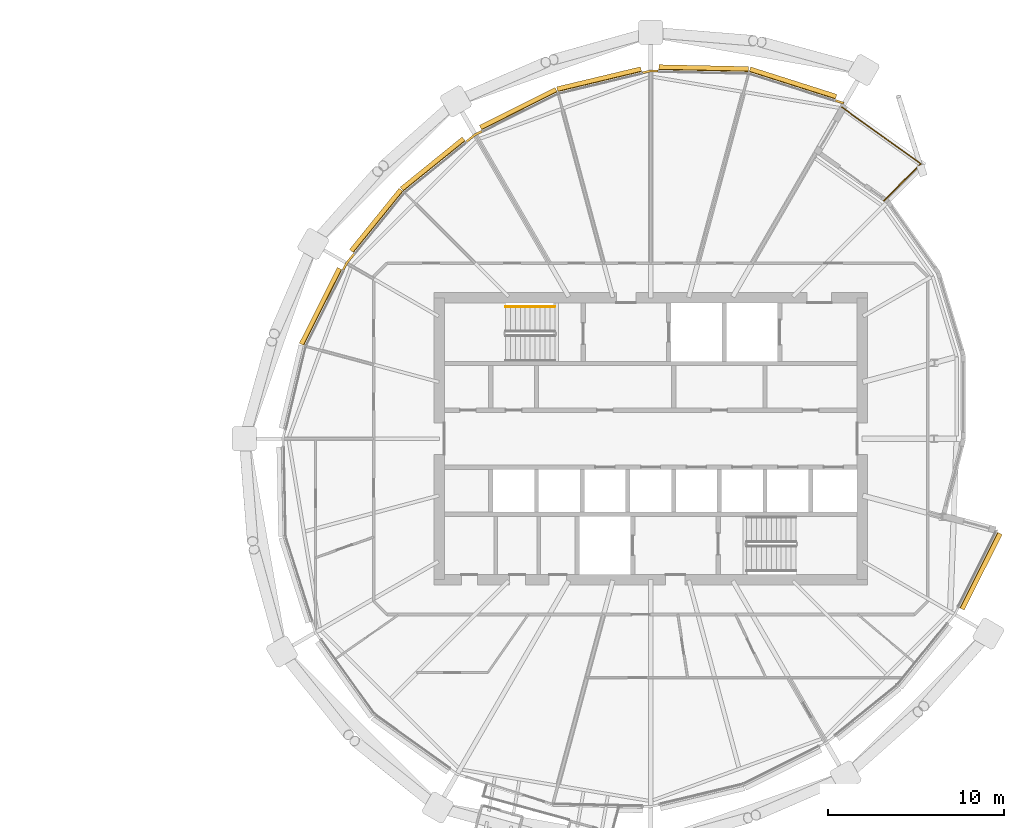
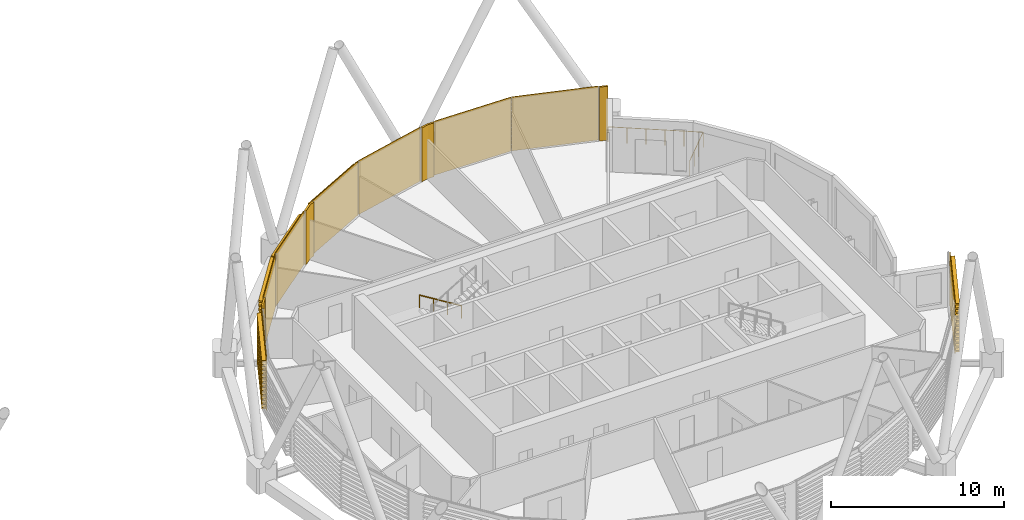
# One storey, part 37 of 37: 12 coverings, 2 railings.
"""IFC4 building model written with IfcOpenShell, lengths in metres."""

from ifc_helpers import new_model, si_unit, direction, frame, origin, origin_2d, place, context, subcontext, project, spatial, polyline, circle, outline, extrude, material, layer, layer_set, material_profile, profile_set, type_object, element, save


model = new_model("IFC4")

# Units and contexts
model_context = context("Model", 3, precision=1e-05, world=origin(), true_north=direction((0.0, 1.0)))
body_context = subcontext(model_context, "Body", "Model", "MODEL_VIEW")
ifc_project = project(units=[si_unit("LENGTHUNIT", "METRE"), si_unit("AREAUNIT", "SQUARE_METRE"), si_unit("VOLUMEUNIT", "CUBIC_METRE"), si_unit("PLANEANGLEUNIT", "RADIAN"), si_unit("MASSUNIT", "GRAM", prefix="KILO")], contexts=[model_context])

# Site, building, storey
site_placement = place(None, origin())
site = spatial("IfcSite", under=ifc_project, at=site_placement, CompositionType="ELEMENT")
building_placement = place(site_placement, origin())
building = spatial("IfcBuilding", under=site, at=building_placement, Name="Rimbun Link Towers", CompositionType="ELEMENT")
storey_placement = place(building_placement, frame((0.0, 0.0, 170.300048828125)))
storey = spatial("IfcBuildingStorey", under=building, at=storey_placement, Name="L41", CompositionType="ELEMENT", Elevation=170.300048828125)

# Railing
ifc_material_1 = material(Name="Stainless steel grade 316", Category="steel")
railing_type_1 = type_object("IfcRailingType", Name="GUARD stainless rail and posts", PredefinedType="GUARDRAIL", material=ifc_material_1)
railing_1_placement = place(storey_placement, frame((44.986083984375, 13.518798828125, 0.0)))
element("IfcRailing", 1, at=railing_1_placement, inside=storey, type_object=railing_type_1, Name="GUARD", PredefinedType="GUARDRAIL", context=body_context, shape_type="SweptSolid", body=[
    extrude(circle(Radius=0.02392578125, at=origin_2d()), frame((0.0, 0.0, 1.076171875), z_axis=(0.707065599696, 0.707147960279, 0.0), x_axis=(-0.707147960279, 0.707065599696, 0.0)), (0.0, 0.0, 1.0), 2.96435546875),
    extrude(circle(Radius=0.02392578125, at=origin_2d()), frame((2.095947265625, 2.09619140625, 1.076171875), z_axis=(-0.812460785763, 0.583015841635, 0.0), x_axis=(-0.583015841635, -0.812460785763, 0.0)), (0.0, 0.0, 1.0), 5.51708984375),
    extrude(circle(Radius=0.02099609375, at=origin_2d()), origin(), (0.0, 0.0, 1.0), 1.052001953125),
    extrude(circle(Radius=0.02099609375, at=origin_2d()), frame((0.69873046875, 0.69873046875, 0.0)), (0.0, 0.0, 1.0), 1.052001953125),
    extrude(circle(Radius=0.02099609375, at=origin_2d()), frame((1.397216796875, 1.3974609375, 0.0)), (0.0, 0.0, 1.0), 1.052001953125),
    extrude(circle(Radius=0.02099609375, at=origin_2d()), frame((2.095947265625, 2.09619140625, 0.0)), (0.0, 0.0, 1.0), 1.052001953125),
    extrude(circle(Radius=0.02099609375, at=origin_2d()), frame((1.199462890625, 2.739501953125, 0.0)), (0.0, 0.0, 1.0), 1.052001953125),
    extrude(circle(Radius=0.02099609375, at=origin_2d()), frame((0.302978515625, 3.3828125, 0.0)), (0.0, 0.0, 1.0), 1.052001953125),
    extrude(circle(Radius=0.02099609375, at=origin_2d()), frame((-0.593505859375, 4.026123046875, 0.0)), (0.0, 0.0, 1.0), 1.052001953125),
    extrude(circle(Radius=0.02099609375, at=origin_2d()), frame((-1.489990234375, 4.66943359375, 0.0)), (0.0, 0.0, 1.0), 1.052001953125),
    extrude(circle(Radius=0.02099609375, at=origin_2d()), frame((-2.386474609375, 5.312744140625, 0.0)), (0.0, 0.0, 1.0), 1.052001953125),
])

# Coverings
ifc_material_2 = material(Name="Terracotta", Category="masonry")
ifc_layer = layer(ifc_material_2, 0.1201171875)
ifc_layer_set = layer_set([ifc_layer], Name="LINK PIER terracotta cladding 120")
covering_type_1 = type_object("IfcCoveringType", Name="LINK PIER terracotta cladding 120", PredefinedType="CLADDING", material=ifc_layer_set)
covering_1_placement = place(storey_placement, origin())
element("IfcCovering", 2, at=covering_1_placement, inside=storey, type_object=covering_type_1, Name="LINK PIER cladding", PredefinedType="CLADDING", context=body_context, shape_type="SweptSolid", body=[
    extrude(outline(polyline([(42.220703125, 19.151611328125), (42.6875, 19.003173828125), (42.723876953125, 19.117431640625), (42.257080078125, 19.265869140625), (42.220703125, 19.151611328125)])), origin(), (0.0, 0.0, 1.0), 3.800048828125),
])
covering_2_placement = place(storey_placement, origin())
element("IfcCovering", 3, at=covering_2_placement, inside=storey, type_object=covering_type_1, Name="LINK PIER cladding", PredefinedType="CLADDING", context=body_context, shape_type="SweptSolid", body=[
    extrude(outline(polyline([(31.29296875, 20.723876953125), (31.75, 20.8330078125), (32.169921875, 20.82421875), (32.17236328125, 20.9443359375), (31.737060546875, 20.953369140625), (31.264892578125, 20.840576171875), (31.29296875, 20.723876953125)])), origin(), (0.0, 0.0, 1.0), 3.800048828125),
])
covering_3_placement = place(storey_placement, origin())
element("IfcCovering", 4, at=covering_3_placement, inside=storey, type_object=covering_type_1, Name="LINK PIER cladding", PredefinedType="CLADDING", context=body_context, shape_type="SweptSolid", body=[
    extrude(outline(polyline([(21.325927734375, 16.830078125), (21.807861328125, 17.22021484375), (22.183349609375, 17.40869140625), (22.12939453125, 17.515869140625), (21.742431640625, 17.321533203125), (21.25048828125, 16.92333984375), (21.325927734375, 16.830078125)])), origin(), (0.0, 0.0, 1.0), 3.800048828125),
])
covering_4_placement = place(storey_placement, origin())
element("IfcCovering", 5, at=covering_4_placement, inside=storey, type_object=covering_type_1, Name="LINK PIER cladding", PredefinedType="CLADDING", context=body_context, shape_type="SweptSolid", body=[
    extrude(outline(polyline([(14.34130859375, 9.566650390625), (14.52978515625, 9.942138671875), (14.951416015625, 10.462890625), (14.858154296875, 10.538330078125), (14.428466796875, 10.007568359375), (14.234130859375, 9.62060546875), (14.34130859375, 9.566650390625)])), origin(), (0.0, 0.0, 1.0), 3.800048828125),
])

# Railing
ifc_material_3 = material(Name="Stainless steel grade 316", Category="steel")
railing_type_2 = type_object("IfcRailingType", Name="Stair handrail", PredefinedType="HANDRAIL", material=ifc_material_3)
railing_2_placement = place(storey_placement, frame((26.300048828125, 7.5, 0.172607421875)))
element("IfcRailing", 6, at=railing_2_placement, inside=storey, type_object=railing_type_2, Name="L41 ST3 stair handrail 1", PredefinedType="HANDRAIL", context=body_context, shape_type="SweptSolid", body=[
    extrude(circle(Radius=0.02392578125, at=origin_2d()), frame((0.0, 0.0, 0.8759765625), z_axis=(-0.851089632645, 0.0, 0.525020415988), x_axis=(0.0, -1.0, 0.0)), (0.0, 0.0, 1.0), 3.2900390625),
    extrude(circle(Radius=0.02099609375, at=origin_2d()), origin(), (0.0, 0.0, 1.0), 0.851806640625),
    extrude(circle(Radius=0.02099609375, at=origin_2d()), frame((-0.933349609375, 0.0, 0.57568359375)), (0.0, 0.0, 1.0), 0.851806640625),
    extrude(circle(Radius=0.02099609375, at=origin_2d()), frame((-1.86669921875, 0.0, 1.151611328125)), (0.0, 0.0, 1.0), 0.851806640625),
    extrude(circle(Radius=0.02099609375, at=origin_2d()), frame((-2.800048828125, 0.0, 1.727294921875)), (0.0, 0.0, 1.0), 0.851806640625),
])

# Coverings
ifc_material_4 = material(Name="Terracotta", Category="masonry")
ifc_material_profile = material_profile(ifc_material_4, outline(polyline([(0.123046875, 0.0), (0.1630859375, 0.0), (0.1630859375, 0.10009765625), (0.423095703125, 0.10009765625), (0.423095703125, 0.219970703125), (0.1630859375, 0.219970703125), (0.1630859375, 0.39990234375), (0.423095703125, 0.39990234375), (0.423095703125, 0.52001953125), (0.1630859375, 0.52001953125), (0.1630859375, 0.699951171875), (0.423095703125, 0.699951171875), (0.423095703125, 0.820068359375), (0.1630859375, 0.820068359375), (0.1630859375, 1.0), (0.423095703125, 1.0), (0.423095703125, 1.1201171875), (0.1630859375, 1.1201171875), (0.1630859375, 1.300048828125), (0.423095703125, 1.300048828125), (0.423095703125, 1.419921875), (0.1630859375, 1.419921875), (0.1630859375, 1.60009765625), (0.423095703125, 1.60009765625), (0.423095703125, 1.719970703125), (0.1630859375, 1.719970703125), (0.1630859375, 1.89990234375), (0.423095703125, 1.89990234375), (0.423095703125, 2.02001953125), (0.1630859375, 2.02001953125), (0.1630859375, 2.199951171875), (0.423095703125, 2.199951171875), (0.423095703125, 2.320068359375), (0.1630859375, 2.320068359375), (0.1630859375, 2.5), (0.423095703125, 2.5), (0.423095703125, 2.6201171875), (0.1630859375, 2.6201171875), (0.1630859375, 2.800048828125), (0.423095703125, 2.800048828125), (0.423095703125, 2.919921875), (0.1630859375, 2.919921875), (0.1630859375, 3.10009765625), (0.423095703125, 3.10009765625), (0.423095703125, 3.219970703125), (0.1630859375, 3.219970703125), (0.1630859375, 3.39990234375), (0.423095703125, 3.39990234375), (0.423095703125, 3.52001953125), (0.1630859375, 3.52001953125), (0.1630859375, 3.800048828125), (0.123046875, 3.800048828125), (0.123046875, 0.0)])), Name="BAGUETTE 120X300")
ifc_profile_set = profile_set([ifc_material_profile], Name="Terracotta")
covering_type_2 = type_object("IfcCoveringType", Name="TERRACOTTA BAGUETTE 120X300 H3800", PredefinedType="CLADDING", material=ifc_profile_set)
covering_5_placement = place(storey_placement, frame((37.30078125, 20.71630859375, 0.0), z_axis=(0.952963877996, -0.303083894714, 0.0), x_axis=(0.303083894714, 0.952963877996, 0.0)))
element("IfcCovering", 7, at=covering_5_placement, inside=storey, type_object=covering_type_2, Name="TERRACOTTA BAGUETTE", PredefinedType="CLADDING", context=body_context, shape_type="SweptSolid", body=[
    extrude(outline(polyline([(0.123046875, 0.0), (0.1630859375, 0.0), (0.1630859375, 0.10009765625), (0.423095703125, 0.10009765625), (0.423095703125, 0.219970703125), (0.1630859375, 0.219970703125), (0.1630859375, 0.39990234375), (0.423095703125, 0.39990234375), (0.423095703125, 0.52001953125), (0.1630859375, 0.52001953125), (0.1630859375, 0.699951171875), (0.423095703125, 0.699951171875), (0.423095703125, 0.820068359375), (0.1630859375, 0.820068359375), (0.1630859375, 1.0), (0.423095703125, 1.0), (0.423095703125, 1.1201171875), (0.1630859375, 1.1201171875), (0.1630859375, 1.300048828125), (0.423095703125, 1.300048828125), (0.423095703125, 1.419921875), (0.1630859375, 1.419921875), (0.1630859375, 1.60009765625), (0.423095703125, 1.60009765625), (0.423095703125, 1.719970703125), (0.1630859375, 1.719970703125), (0.1630859375, 1.89990234375), (0.423095703125, 1.89990234375), (0.423095703125, 2.02001953125), (0.1630859375, 2.02001953125), (0.1630859375, 2.199951171875), (0.423095703125, 2.199951171875), (0.423095703125, 2.320068359375), (0.1630859375, 2.320068359375), (0.1630859375, 2.5), (0.423095703125, 2.5), (0.423095703125, 2.6201171875), (0.1630859375, 2.6201171875), (0.1630859375, 2.800048828125), (0.423095703125, 2.800048828125), (0.423095703125, 2.919921875), (0.1630859375, 2.919921875), (0.1630859375, 3.10009765625), (0.423095703125, 3.10009765625), (0.423095703125, 3.219970703125), (0.1630859375, 3.219970703125), (0.1630859375, 3.39990234375), (0.423095703125, 3.39990234375), (0.423095703125, 3.52001953125), (0.1630859375, 3.52001953125), (0.1630859375, 3.800048828125), (0.123046875, 3.800048828125), (0.123046875, 0.0)])), origin(), (0.0, 0.0, 1.0), 5.1328125),
])
covering_6_placement = place(storey_placement, frame((32.199951171875, 20.82373046875, 0.0), z_axis=(0.999778318568, -0.021055016521, 0.0), x_axis=(0.021055016521, 0.999778318568, 0.0)))
element("IfcCovering", 8, at=covering_6_placement, inside=storey, type_object=covering_type_2, Name="TERRACOTTA BAGUETTE", PredefinedType="CLADDING", context=body_context, shape_type="SweptSolid", body=[
    extrude(outline(polyline([(0.123046875, 0.0), (0.1630859375, 0.0), (0.1630859375, 0.10009765625), (0.423095703125, 0.10009765625), (0.423095703125, 0.219970703125), (0.1630859375, 0.219970703125), (0.1630859375, 0.39990234375), (0.423095703125, 0.39990234375), (0.423095703125, 0.52001953125), (0.1630859375, 0.52001953125), (0.1630859375, 0.699951171875), (0.423095703125, 0.699951171875), (0.423095703125, 0.820068359375), (0.1630859375, 0.820068359375), (0.1630859375, 1.0), (0.423095703125, 1.0), (0.423095703125, 1.1201171875), (0.1630859375, 1.1201171875), (0.1630859375, 1.300048828125), (0.423095703125, 1.300048828125), (0.423095703125, 1.419921875), (0.1630859375, 1.419921875), (0.1630859375, 1.60009765625), (0.423095703125, 1.60009765625), (0.423095703125, 1.719970703125), (0.1630859375, 1.719970703125), (0.1630859375, 1.89990234375), (0.423095703125, 1.89990234375), (0.423095703125, 2.02001953125), (0.1630859375, 2.02001953125), (0.1630859375, 2.199951171875), (0.423095703125, 2.199951171875), (0.423095703125, 2.320068359375), (0.1630859375, 2.320068359375), (0.1630859375, 2.5), (0.423095703125, 2.5), (0.423095703125, 2.6201171875), (0.1630859375, 2.6201171875), (0.1630859375, 2.800048828125), (0.423095703125, 2.800048828125), (0.423095703125, 2.919921875), (0.1630859375, 2.919921875), (0.1630859375, 3.10009765625), (0.423095703125, 3.10009765625), (0.423095703125, 3.219970703125), (0.1630859375, 3.219970703125), (0.1630859375, 3.39990234375), (0.423095703125, 3.39990234375), (0.423095703125, 3.52001953125), (0.1630859375, 3.52001953125), (0.1630859375, 3.800048828125), (0.123046875, 3.800048828125), (0.123046875, 0.0)])), origin(), (0.0, 0.0, 1.0), 5.10205078125),
])
covering_7_placement = place(storey_placement, frame((26.50390625, 19.57861328125, 0.0), z_axis=(0.972579872866, 0.232569109935, 0.0), x_axis=(-0.232569109935, 0.972579872866, 0.0)))
element("IfcCovering", 9, at=covering_7_placement, inside=storey, type_object=covering_type_2, Name="TERRACOTTA BAGUETTE", PredefinedType="CLADDING", context=body_context, shape_type="SweptSolid", body=[
    extrude(outline(polyline([(0.123046875, 0.0), (0.1630859375, 0.0), (0.1630859375, 0.10009765625), (0.423095703125, 0.10009765625), (0.423095703125, 0.219970703125), (0.1630859375, 0.219970703125), (0.1630859375, 0.39990234375), (0.423095703125, 0.39990234375), (0.423095703125, 0.52001953125), (0.1630859375, 0.52001953125), (0.1630859375, 0.699951171875), (0.423095703125, 0.699951171875), (0.423095703125, 0.820068359375), (0.1630859375, 0.820068359375), (0.1630859375, 1.0), (0.423095703125, 1.0), (0.423095703125, 1.1201171875), (0.1630859375, 1.1201171875), (0.1630859375, 1.300048828125), (0.423095703125, 1.300048828125), (0.423095703125, 1.419921875), (0.1630859375, 1.419921875), (0.1630859375, 1.60009765625), (0.423095703125, 1.60009765625), (0.423095703125, 1.719970703125), (0.1630859375, 1.719970703125), (0.1630859375, 1.89990234375), (0.423095703125, 1.89990234375), (0.423095703125, 2.02001953125), (0.1630859375, 2.02001953125), (0.1630859375, 2.199951171875), (0.423095703125, 2.199951171875), (0.423095703125, 2.320068359375), (0.1630859375, 2.320068359375), (0.1630859375, 2.5), (0.423095703125, 2.5), (0.423095703125, 2.6201171875), (0.1630859375, 2.6201171875), (0.1630859375, 2.800048828125), (0.423095703125, 2.800048828125), (0.423095703125, 2.919921875), (0.1630859375, 2.919921875), (0.1630859375, 3.10009765625), (0.423095703125, 3.10009765625), (0.423095703125, 3.219970703125), (0.1630859375, 3.219970703125), (0.1630859375, 3.39990234375), (0.423095703125, 3.39990234375), (0.423095703125, 3.52001953125), (0.1630859375, 3.52001953125), (0.1630859375, 3.800048828125), (0.123046875, 3.800048828125), (0.123046875, 0.0)])), origin(), (0.0, 0.0, 1.0), 4.89404296875),
])
covering_8_placement = place(storey_placement, frame((22.2099609375, 17.422119140625, 0.0), z_axis=(0.893633161817, 0.44879814182, 0.0), x_axis=(-0.44879814182, 0.893633161817, 0.0)))
element("IfcCovering", 10, at=covering_8_placement, inside=storey, type_object=covering_type_2, Name="TERRACOTTA BAGUETTE", PredefinedType="CLADDING", context=body_context, shape_type="SweptSolid", body=[
    extrude(outline(polyline([(0.123046875, 0.0), (0.1630859375, 0.0), (0.1630859375, 0.10009765625), (0.423095703125, 0.10009765625), (0.423095703125, 0.219970703125), (0.1630859375, 0.219970703125), (0.1630859375, 0.39990234375), (0.423095703125, 0.39990234375), (0.423095703125, 0.52001953125), (0.1630859375, 0.52001953125), (0.1630859375, 0.699951171875), (0.423095703125, 0.699951171875), (0.423095703125, 0.820068359375), (0.1630859375, 0.820068359375), (0.1630859375, 1.0), (0.423095703125, 1.0), (0.423095703125, 1.1201171875), (0.1630859375, 1.1201171875), (0.1630859375, 1.300048828125), (0.423095703125, 1.300048828125), (0.423095703125, 1.419921875), (0.1630859375, 1.419921875), (0.1630859375, 1.60009765625), (0.423095703125, 1.60009765625), (0.423095703125, 1.719970703125), (0.1630859375, 1.719970703125), (0.1630859375, 1.89990234375), (0.423095703125, 1.89990234375), (0.423095703125, 2.02001953125), (0.1630859375, 2.02001953125), (0.1630859375, 2.199951171875), (0.423095703125, 2.199951171875), (0.423095703125, 2.320068359375), (0.1630859375, 2.320068359375), (0.1630859375, 2.5), (0.423095703125, 2.5), (0.423095703125, 2.6201171875), (0.1630859375, 2.6201171875), (0.1630859375, 2.800048828125), (0.423095703125, 2.800048828125), (0.423095703125, 2.919921875), (0.1630859375, 2.919921875), (0.1630859375, 3.10009765625), (0.423095703125, 3.10009765625), (0.423095703125, 3.219970703125), (0.1630859375, 3.219970703125), (0.1630859375, 3.39990234375), (0.423095703125, 3.39990234375), (0.423095703125, 3.52001953125), (0.1630859375, 3.52001953125), (0.1630859375, 3.800048828125), (0.123046875, 3.800048828125), (0.123046875, 0.0)])), origin(), (0.0, 0.0, 1.0), 4.804931640625),
])
covering_9_placement = place(storey_placement, frame((17.78564453125, 13.96435546875, 0.0), z_axis=(0.777271256084, 0.629165633569, 0.0), x_axis=(-0.629165633569, 0.777271256084, 0.0)))
element("IfcCovering", 11, at=covering_9_placement, inside=storey, type_object=covering_type_2, Name="TERRACOTTA BAGUETTE", PredefinedType="CLADDING", context=body_context, shape_type="SweptSolid", body=[
    extrude(outline(polyline([(0.123046875, 0.0), (0.1630859375, 0.0), (0.1630859375, 0.10009765625), (0.423095703125, 0.10009765625), (0.423095703125, 0.219970703125), (0.1630859375, 0.219970703125), (0.1630859375, 0.39990234375), (0.423095703125, 0.39990234375), (0.423095703125, 0.52001953125), (0.1630859375, 0.52001953125), (0.1630859375, 0.699951171875), (0.423095703125, 0.699951171875), (0.423095703125, 0.820068359375), (0.1630859375, 0.820068359375), (0.1630859375, 1.0), (0.423095703125, 1.0), (0.423095703125, 1.1201171875), (0.1630859375, 1.1201171875), (0.1630859375, 1.300048828125), (0.423095703125, 1.300048828125), (0.423095703125, 1.419921875), (0.1630859375, 1.419921875), (0.1630859375, 1.60009765625), (0.423095703125, 1.60009765625), (0.423095703125, 1.719970703125), (0.1630859375, 1.719970703125), (0.1630859375, 1.89990234375), (0.423095703125, 1.89990234375), (0.423095703125, 2.02001953125), (0.1630859375, 2.02001953125), (0.1630859375, 2.199951171875), (0.423095703125, 2.199951171875), (0.423095703125, 2.320068359375), (0.1630859375, 2.320068359375), (0.1630859375, 2.5), (0.423095703125, 2.5), (0.423095703125, 2.6201171875), (0.1630859375, 2.6201171875), (0.1630859375, 2.800048828125), (0.423095703125, 2.800048828125), (0.423095703125, 2.919921875), (0.1630859375, 2.919921875), (0.1630859375, 3.10009765625), (0.423095703125, 3.10009765625), (0.423095703125, 3.219970703125), (0.1630859375, 3.219970703125), (0.1630859375, 3.39990234375), (0.423095703125, 3.39990234375), (0.423095703125, 3.52001953125), (0.1630859375, 3.52001953125), (0.1630859375, 3.800048828125), (0.123046875, 3.800048828125), (0.123046875, 0.0)])), origin(), (0.0, 0.0, 1.0), 4.52490234375),
])
covering_10_placement = place(storey_placement, frame((14.97021484375, 10.486083984375, 0.0), z_axis=(0.629155852333, 0.777279173447, 0.0), x_axis=(-0.777279173447, 0.629155852333, 0.0)))
element("IfcCovering", 12, at=covering_10_placement, inside=storey, type_object=covering_type_2, Name="TERRACOTTA BAGUETTE", PredefinedType="CLADDING", context=body_context, shape_type="SweptSolid", body=[
    extrude(outline(polyline([(0.123046875, 0.0), (0.1630859375, 0.0), (0.1630859375, 0.10009765625), (0.423095703125, 0.10009765625), (0.423095703125, 0.219970703125), (0.1630859375, 0.219970703125), (0.1630859375, 0.39990234375), (0.423095703125, 0.39990234375), (0.423095703125, 0.52001953125), (0.1630859375, 0.52001953125), (0.1630859375, 0.699951171875), (0.423095703125, 0.699951171875), (0.423095703125, 0.820068359375), (0.1630859375, 0.820068359375), (0.1630859375, 1.0), (0.423095703125, 1.0), (0.423095703125, 1.1201171875), (0.1630859375, 1.1201171875), (0.1630859375, 1.300048828125), (0.423095703125, 1.300048828125), (0.423095703125, 1.419921875), (0.1630859375, 1.419921875), (0.1630859375, 1.60009765625), (0.423095703125, 1.60009765625), (0.423095703125, 1.719970703125), (0.1630859375, 1.719970703125), (0.1630859375, 1.89990234375), (0.423095703125, 1.89990234375), (0.423095703125, 2.02001953125), (0.1630859375, 2.02001953125), (0.1630859375, 2.199951171875), (0.423095703125, 2.199951171875), (0.423095703125, 2.320068359375), (0.1630859375, 2.320068359375), (0.1630859375, 2.5), (0.423095703125, 2.5), (0.423095703125, 2.6201171875), (0.1630859375, 2.6201171875), (0.1630859375, 2.800048828125), (0.423095703125, 2.800048828125), (0.423095703125, 2.919921875), (0.1630859375, 2.919921875), (0.1630859375, 3.10009765625), (0.423095703125, 3.10009765625), (0.423095703125, 3.219970703125), (0.1630859375, 3.219970703125), (0.1630859375, 3.39990234375), (0.423095703125, 3.39990234375), (0.423095703125, 3.52001953125), (0.1630859375, 3.52001953125), (0.1630859375, 3.800048828125), (0.123046875, 3.800048828125), (0.123046875, 0.0)])), origin(), (0.0, 0.0, 1.0), 4.474853515625),
])
for number, where, z_axis, x_axis, name in (
    (13, (12.17138671875, 5.24609375, 0.0), (0.44879814182, 0.893633161817, 0.0), (-0.893633161817, 0.44879814182, 0.0), "TERRACOTTA BAGUETTE"),
    (14, (51.32861328125, -5.24609375, 0.0), (-0.44879814182, -0.893633161817, 0.0), (0.893633161817, -0.44879814182, 0.0), "TERRACOTTA BAGUETTE"),
):
    element("IfcCovering", number, at=place(storey_placement, frame(where, z_axis=z_axis, x_axis=x_axis)), inside=storey, type_object=covering_type_2, Name=name, PredefinedType="CLADDING", context=body_context, shape_type="SweptSolid", body=[
        extrude(outline(polyline([(0.123046875, 0.0), (0.1630859375, 0.0), (0.1630859375, 0.10009765625), (0.423095703125, 0.10009765625), (0.423095703125, 0.219970703125), (0.1630859375, 0.219970703125), (0.1630859375, 0.39990234375), (0.423095703125, 0.39990234375), (0.423095703125, 0.52001953125), (0.1630859375, 0.52001953125), (0.1630859375, 0.699951171875), (0.423095703125, 0.699951171875), (0.423095703125, 0.820068359375), (0.1630859375, 0.820068359375), (0.1630859375, 1.0), (0.423095703125, 1.0), (0.423095703125, 1.1201171875), (0.1630859375, 1.1201171875), (0.1630859375, 1.300048828125), (0.423095703125, 1.300048828125), (0.423095703125, 1.419921875), (0.1630859375, 1.419921875), (0.1630859375, 1.60009765625), (0.423095703125, 1.60009765625), (0.423095703125, 1.719970703125), (0.1630859375, 1.719970703125), (0.1630859375, 1.89990234375), (0.423095703125, 1.89990234375), (0.423095703125, 2.02001953125), (0.1630859375, 2.02001953125), (0.1630859375, 2.199951171875), (0.423095703125, 2.199951171875), (0.423095703125, 2.320068359375), (0.1630859375, 2.320068359375), (0.1630859375, 2.5), (0.423095703125, 2.5), (0.423095703125, 2.6201171875), (0.1630859375, 2.6201171875), (0.1630859375, 2.800048828125), (0.423095703125, 2.800048828125), (0.423095703125, 2.919921875), (0.1630859375, 2.919921875), (0.1630859375, 3.10009765625), (0.423095703125, 3.10009765625), (0.423095703125, 3.219970703125), (0.1630859375, 3.219970703125), (0.1630859375, 3.39990234375), (0.423095703125, 3.39990234375), (0.423095703125, 3.52001953125), (0.1630859375, 3.52001953125), (0.1630859375, 3.800048828125), (0.123046875, 3.800048828125), (0.123046875, 0.0)])), origin(), (0.0, 0.0, 1.0), 4.804931640625),
    ])

save(model, "model.ifc")
